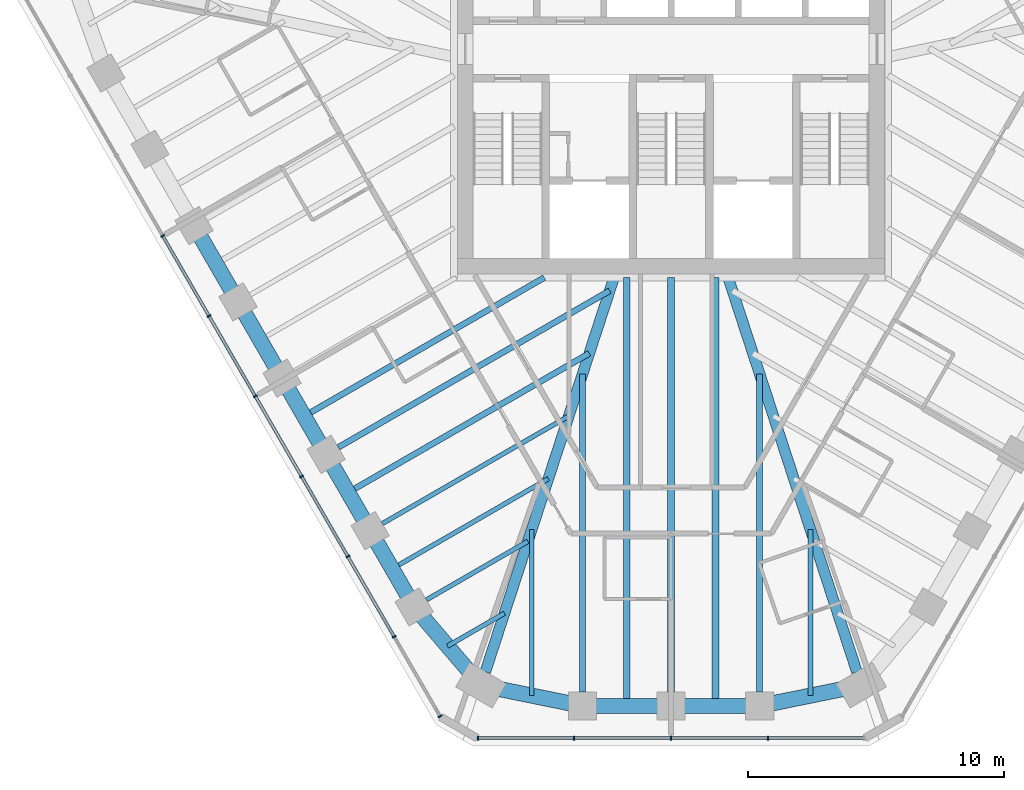
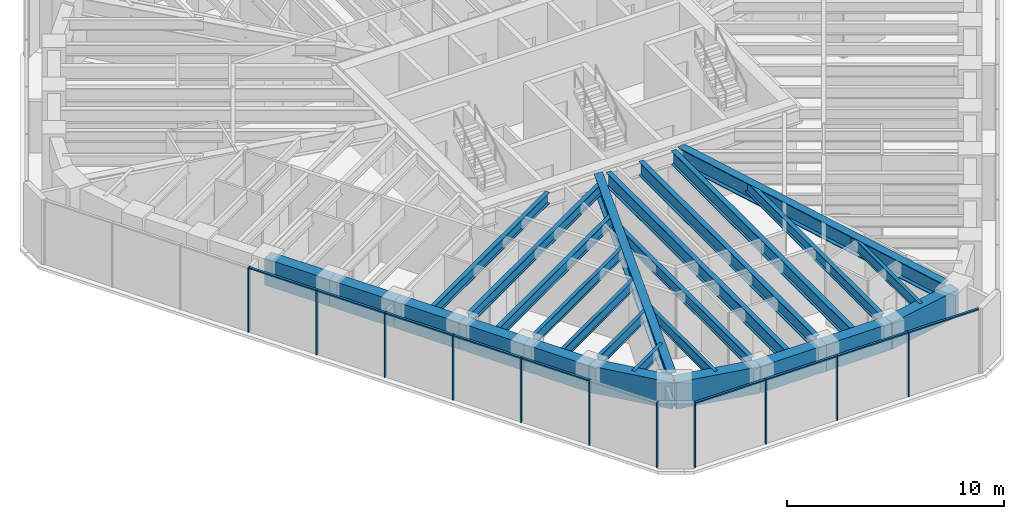
# One storey, part 2 of 14: 26 beams, 20 members, 2 elements without a shape of their own.
"""IFC4 building model written with IfcOpenShell, lengths in metres."""

from ifc_helpers import new_model, si_unit, direction, frame, origin, origin_2d, place, context, subcontext, project, spatial, rectangle, i_section, extrude, material, material_profile, profile_set, type_object, element, aggregate, save


model = new_model("IFC4")

# Units and contexts
model_context = context("Model", 3, precision=1e-05, world=origin(), true_north=direction((0.0, 1.0)))
body_context = subcontext(model_context, "Body", "Model", "MODEL_VIEW")
ifc_project = project(units=[si_unit("LENGTHUNIT", "METRE"), si_unit("AREAUNIT", "SQUARE_METRE"), si_unit("VOLUMEUNIT", "CUBIC_METRE"), si_unit("PLANEANGLEUNIT", "RADIAN"), si_unit("MASSUNIT", "GRAM", prefix="KILO")], contexts=[model_context])

# Site, building, storey
site_placement = place(None, origin())
site = spatial("IfcSite", under=ifc_project, at=site_placement, CompositionType="ELEMENT")
building_placement = place(site_placement, origin())
building = spatial("IfcBuilding", under=site, at=building_placement, Name="Sandreach Pilgrim Tower", CompositionType="ELEMENT")
storey_placement = place(building_placement, frame((0.0, 0.0, 283.60009765625)))
storey = spatial("IfcBuildingStorey", under=building, at=storey_placement, Name="L71", CompositionType="ELEMENT", Elevation=283.60009765625)

# Curtain wall, members
ifc_material_1 = material(Name="Aluminium framed curtain wall", Category="aluminium")
curtain_wall_type = type_object("IfcCurtainWallType", Name="Suite tower curtain wall", PredefinedType="NOTDEFINED", material=ifc_material_1)
curtain_wall_1_placement = place(storey_placement, origin())
curtain_wall_1 = element("IfcCurtainWall", 1, at=curtain_wall_1_placement, inside=storey, type_object=curtain_wall_type, Name="CW-4 L71 S", PredefinedType="NOTDEFINED")
ifc_material_2 = material(Name="Aluminium extrusion", Category="aluminium")
ifc_material_profile_1 = material_profile(ifc_material_2, rectangle(XDim=0.06005859375, YDim=0.159912109375, at=origin_2d()), Name="CW-4M 60X160")
ifc_profile_set_1 = profile_set([ifc_material_profile_1], Name="Aluminium extrusion")
member_type_1 = type_object("IfcMemberType", Name="CW-4 mullion", PredefinedType="MULLION", material=ifc_profile_set_1)
member_1_placement = place(storey_placement, frame((3.791748046875, -24.858154296875, 0.0), z_axis=(0.0, 0.0, 1.0), x_axis=(-1.0, 0.0, 0.0)))
member_1 = element("IfcMember", 2, at=member_1_placement, type_object=member_type_1, Name="CW-4 mullion 2", PredefinedType="MULLION", context=body_context, shape_type="SweptSolid", body=[
    extrude(rectangle(XDim=0.06005859375, YDim=0.159912109375, at=origin_2d()), origin(), (0.0, 0.0, 1.0), 3.639892578125),
])
member_2_placement = place(storey_placement, frame((0.0, -24.858154296875, 0.0), z_axis=(0.0, 0.0, 1.0), x_axis=(-1.0, 0.0, 0.0)))
member_2 = element("IfcMember", 3, at=member_2_placement, type_object=member_type_1, Name="CW-4 mullion 3", PredefinedType="MULLION", context=body_context, shape_type="SweptSolid", body=[
    extrude(rectangle(XDim=0.06005859375, YDim=0.159912109375, at=origin_2d()), origin(), (0.0, 0.0, 1.0), 3.639892578125),
])
member_3_placement = place(storey_placement, frame((-3.791748046875, -24.858154296875, 0.0), z_axis=(0.0, 0.0, 1.0), x_axis=(-1.0, 0.0, 0.0)))
member_3 = element("IfcMember", 4, at=member_3_placement, type_object=member_type_1, Name="CW-4 mullion 4", PredefinedType="MULLION", context=body_context, shape_type="SweptSolid", body=[
    extrude(rectangle(XDim=0.06005859375, YDim=0.159912109375, at=origin_2d()), origin(), (0.0, 0.0, 1.0), 3.639892578125),
])
member_4_placement = place(storey_placement, frame((-7.553466796875, -24.858154296875, 0.0), z_axis=(0.0, 0.0, 1.0), x_axis=(-1.0, 0.0, 0.0)))
member_4 = element("IfcMember", 5, at=member_4_placement, type_object=member_type_1, Name="CW-4 mullion 5", PredefinedType="MULLION", context=body_context, shape_type="SweptSolid", body=[
    extrude(rectangle(XDim=0.06005859375, YDim=0.159912109375, at=origin_2d()), origin(), (0.0, 0.0, 1.0), 3.639892578125),
])

curtain_wall_2_placement = place(storey_placement, origin())
curtain_wall_2 = element("IfcCurtainWall", 6, at=curtain_wall_2_placement, inside=storey, type_object=curtain_wall_type, Name="CW-4 L71 SW", PredefinedType="NOTDEFINED")
member_5_placement = place(storey_placement, frame((-9.035888671875, -24.001953125, 0.0), z_axis=(0.0, 0.0, 1.0), x_axis=(-0.5, 0.866025403784, 0.0)))
member_5 = element("IfcMember", 7, at=member_5_placement, type_object=member_type_1, Name="CW-4 mullion 1", PredefinedType="MULLION", context=body_context, shape_type="SweptSolid", body=[
    extrude(rectangle(XDim=0.06005859375, YDim=0.159912109375, at=origin_2d()), origin(), (0.0, 0.0, 1.0), 3.639892578125),
])
member_6_placement = place(storey_placement, frame((-10.83203125, -20.891357421875, 0.0), z_axis=(0.0, 0.0, 1.0), x_axis=(-0.5, 0.866025403784, 0.0)))
member_6 = element("IfcMember", 8, at=member_6_placement, type_object=member_type_1, Name="CW-4 mullion 2", PredefinedType="MULLION", context=body_context, shape_type="SweptSolid", body=[
    extrude(rectangle(XDim=0.06005859375, YDim=0.159912109375, at=origin_2d()), origin(), (0.0, 0.0, 1.0), 3.639892578125),
])
member_7_placement = place(storey_placement, frame((-12.642822265625, -17.7548828125, 0.0), z_axis=(0.0, 0.0, 1.0), x_axis=(-0.5, 0.866025403784, 0.0)))
member_7 = element("IfcMember", 9, at=member_7_placement, type_object=member_type_1, Name="CW-4 mullion 3", PredefinedType="MULLION", context=body_context, shape_type="SweptSolid", body=[
    extrude(rectangle(XDim=0.06005859375, YDim=0.159912109375, at=origin_2d()), origin(), (0.0, 0.0, 1.0), 3.639892578125),
])
member_8_placement = place(storey_placement, frame((-14.453857421875, -14.6181640625, 0.0), z_axis=(0.0, 0.0, 1.0), x_axis=(-0.5, 0.866025403784, 0.0)))
member_8 = element("IfcMember", 10, at=member_8_placement, type_object=member_type_1, Name="CW-4 mullion 4", PredefinedType="MULLION", context=body_context, shape_type="SweptSolid", body=[
    extrude(rectangle(XDim=0.06005859375, YDim=0.159912109375, at=origin_2d()), origin(), (0.0, 0.0, 1.0), 3.639892578125),
])
member_9_placement = place(storey_placement, frame((-16.2646484375, -11.4814453125, 0.0), z_axis=(0.0, 0.0, 1.0), x_axis=(-0.5, 0.866025403784, 0.0)))
member_9 = element("IfcMember", 11, at=member_9_placement, type_object=member_type_1, Name="CW-4 mullion 5", PredefinedType="MULLION", context=body_context, shape_type="SweptSolid", body=[
    extrude(rectangle(XDim=0.06005859375, YDim=0.159912109375, at=origin_2d()), origin(), (0.0, 0.0, 1.0), 3.639892578125),
])
member_10_placement = place(storey_placement, frame((-18.07568359375, -8.344970703125, 0.0), z_axis=(0.0, 0.0, 1.0), x_axis=(-0.5, 0.866025403784, 0.0)))
member_10 = element("IfcMember", 12, at=member_10_placement, type_object=member_type_1, Name="CW-4 mullion 6", PredefinedType="MULLION", context=body_context, shape_type="SweptSolid", body=[
    extrude(rectangle(XDim=0.06005859375, YDim=0.159912109375, at=origin_2d()), origin(), (0.0, 0.0, 1.0), 3.639892578125),
])
member_11_placement = place(storey_placement, frame((-19.886474609375, -5.208251953125, 0.0), z_axis=(0.0, 0.0, 1.0), x_axis=(-0.5, 0.866025403784, 0.0)))
member_11 = element("IfcMember", 13, at=member_11_placement, type_object=member_type_1, Name="CW-4 mullion 7", PredefinedType="MULLION", context=body_context, shape_type="SweptSolid", body=[
    extrude(rectangle(XDim=0.06005859375, YDim=0.159912109375, at=origin_2d()), origin(), (0.0, 0.0, 1.0), 3.639892578125),
])

# Member
ifc_material_3 = material(Name="Aluminium extrusion", Category="aluminium")
ifc_material_profile_2 = material_profile(ifc_material_3, rectangle(XDim=0.1201171875, YDim=0.070068359375, at=origin_2d()), Name="CW-4T 120X70")
ifc_profile_set_2 = profile_set([ifc_material_profile_2], Name="Aluminium extrusion")
member_type_2 = type_object("IfcMemberType", Name="CW-4 transom", PredefinedType="USERDEFINED", material=ifc_profile_set_2)
member_12_placement = place(storey_placement, frame((7.5234375, -24.858154296875, 3.60498046875), z_axis=(-1.0, 0.0, 0.0), x_axis=(0.0, -1.0, 0.0)))
member_12 = element("IfcMember", 14, at=member_12_placement, type_object=member_type_2, Name="CW-4 head transom 1", ObjectType="TRANSOM", PredefinedType="USERDEFINED", context=body_context, shape_type="SweptSolid", body=[
    extrude(rectangle(XDim=0.1201171875, YDim=0.070068359375, at=origin_2d()), origin(), (0.0, 0.0, 1.0), 3.70166015625),
])

member_13_placement = place(storey_placement, frame((3.76171875, -24.858154296875, 3.60498046875), z_axis=(-1.0, 0.0, 0.0), x_axis=(0.0, -1.0, 0.0)))
member_13 = element("IfcMember", 15, at=member_13_placement, type_object=member_type_2, Name="CW-4 head transom 2", ObjectType="TRANSOM", PredefinedType="USERDEFINED", context=body_context, shape_type="SweptSolid", body=[
    extrude(rectangle(XDim=0.1201171875, YDim=0.070068359375, at=origin_2d()), origin(), (0.0, 0.0, 1.0), 3.731689453125),
])

member_14_placement = place(storey_placement, frame((-0.030029296875, -24.858154296875, 3.60498046875), z_axis=(-1.0, 0.0, 0.0), x_axis=(0.0, -1.0, 0.0)))
member_14 = element("IfcMember", 16, at=member_14_placement, type_object=member_type_2, Name="CW-4 head transom 3", ObjectType="TRANSOM", PredefinedType="USERDEFINED", context=body_context, shape_type="SweptSolid", body=[
    extrude(rectangle(XDim=0.1201171875, YDim=0.070068359375, at=origin_2d()), origin(), (0.0, 0.0, 1.0), 3.731689453125),
])

member_15_placement = place(storey_placement, frame((-3.82177734375, -24.858154296875, 3.60498046875), z_axis=(-1.0, 0.0, 0.0), x_axis=(0.0, -1.0, 0.0)))
member_15 = element("IfcMember", 17, at=member_15_placement, type_object=member_type_2, Name="CW-4 head transom 4", ObjectType="TRANSOM", PredefinedType="USERDEFINED", context=body_context, shape_type="SweptSolid", body=[
    extrude(rectangle(XDim=0.1201171875, YDim=0.070068359375, at=origin_2d()), origin(), (0.0, 0.0, 1.0), 3.70166015625),
])

aggregate(curtain_wall_1, [member_1, member_2, member_3, member_4, member_12, member_13, member_14, member_15])

member_16_placement = place(storey_placement, frame((-10.846923828125, -20.865478515625, 3.60498046875), z_axis=(-0.500009219579, 0.866020080793, 0.0), x_axis=(-0.866020080793, -0.500009219579, 0.0)))
member_16 = element("IfcMember", 18, at=member_16_placement, type_object=member_type_2, Name="CW-4 head transom 2", ObjectType="TRANSOM", PredefinedType="USERDEFINED", context=body_context, shape_type="SweptSolid", body=[
    extrude(rectangle(XDim=0.1201171875, YDim=0.070068359375, at=origin_2d()), origin(), (0.0, 0.0, 1.0), 3.56201171875),
])

member_17_placement = place(storey_placement, frame((-12.657958984375, -17.728759765625, 3.60498046875), z_axis=(-0.499957811549, 0.866049759928, 0.0), x_axis=(-0.866049759928, -0.499957811549, 0.0)))
member_17 = element("IfcMember", 19, at=member_17_placement, type_object=member_type_2, Name="CW-4 head transom 3", ObjectType="TRANSOM", PredefinedType="USERDEFINED", context=body_context, shape_type="SweptSolid", body=[
    extrude(rectangle(XDim=0.1201171875, YDim=0.070068359375, at=origin_2d()), origin(), (0.0, 0.0, 1.0), 3.561767578125),
])

member_18_placement = place(storey_placement, frame((-14.46875, -14.59228515625, 3.60498046875), z_axis=(-0.500009219579, 0.866020080793, 0.0), x_axis=(-0.866020080793, -0.500009219579, 0.0)))
member_18 = element("IfcMember", 20, at=member_18_placement, type_object=member_type_2, Name="CW-4 head transom 4", ObjectType="TRANSOM", PredefinedType="USERDEFINED", context=body_context, shape_type="SweptSolid", body=[
    extrude(rectangle(XDim=0.1201171875, YDim=0.070068359375, at=origin_2d()), origin(), (0.0, 0.0, 1.0), 3.56201171875),
])

member_19_placement = place(storey_placement, frame((-16.27978515625, -11.45556640625, 3.60498046875), z_axis=(-0.499957811549, 0.866049759928, 0.0), x_axis=(-0.866049759928, -0.499957811549, 0.0)))
member_19 = element("IfcMember", 21, at=member_19_placement, type_object=member_type_2, Name="CW-4 head transom 5", ObjectType="TRANSOM", PredefinedType="USERDEFINED", context=body_context, shape_type="SweptSolid", body=[
    extrude(rectangle(XDim=0.1201171875, YDim=0.070068359375, at=origin_2d()), origin(), (0.0, 0.0, 1.0), 3.561767578125),
])

member_20_placement = place(storey_placement, frame((-18.090576171875, -8.31884765625, 3.60498046875), z_axis=(-0.500038900691, 0.866002943295, 0.0), x_axis=(-0.866002943295, -0.500038900691, 0.0)))
member_20 = element("IfcMember", 22, at=member_20_placement, type_object=member_type_2, Name="CW-4 head transom 6", ObjectType="TRANSOM", PredefinedType="USERDEFINED", context=body_context, shape_type="SweptSolid", body=[
    extrude(rectangle(XDim=0.1201171875, YDim=0.070068359375, at=origin_2d()), origin(), (0.0, 0.0, 1.0), 3.561767578125),
])

aggregate(curtain_wall_2, [member_5, member_6, member_7, member_8, member_9, member_10, member_11, member_16, member_17, member_18, member_19, member_20])

# Beams
ifc_material_4 = material(Name="Steel ASTM A992 Grade 50", Category="steel")
ifc_material_profile_3 = material_profile(ifc_material_4, i_section(OverallWidth=0.421630859375, OverallDepth=0.937255859375, WebThickness=0.0224609375, FlangeThickness=0.039794921875, at=origin_2d()), Name="W36X282")
ifc_profile_set_3 = profile_set([ifc_material_profile_3], Name="Steel ASTM A992 Grade 50")
beam_type_1 = type_object("IfcBeamType", Name="Corner girder W36X282", PredefinedType="BEAM", material=ifc_profile_set_3)
for number, where, z_axis, x_axis, name in (
    (23, (7.268310546875, -22.2666015625, 3.17138671875), (-0.310308570047, 0.950635887896, 0.0), (-0.950635887896, -0.310308570047, 0.0), "BM L71 CG22"),
    (24, (-7.268310546875, -22.2666015625, 3.17138671875), (0.310308570047, 0.950635887896, 0.0), (-0.950635887896, 0.310308570047, 0.0), "BM L71 CG26"),
):
    element("IfcBeam", number, at=place(storey_placement, frame(where, z_axis=z_axis, x_axis=x_axis)), inside=storey, type_object=beam_type_1, Name=name, PredefinedType="BEAM", context=body_context, shape_type="SweptSolid", body=[
        extrude(i_section(OverallWidth=0.421630859375, OverallDepth=0.937255859375, WebThickness=0.0224609375, FlangeThickness=0.039794921875, at=origin_2d()), origin(), (0.0, 0.0, 1.0), 16.375),
    ])
ifc_material_5 = material(Name="Steel ASTM A992 Grade 50", Category="steel")
ifc_material_profile_4 = material_profile(ifc_material_5, i_section(OverallWidth=0.1787109375, OverallDepth=0.60205078125, WebThickness=0.010986328125, FlangeThickness=0.014892578125, at=origin_2d()), Name="W24X62")
ifc_profile_set_4 = profile_set([ifc_material_profile_4], Name="Steel ASTM A992 Grade 50")
beam_type_2 = type_object("IfcBeamType", Name="Floor beam W24X62", PredefinedType="BEAM", material=ifc_profile_set_4)
beam_1_placement = place(storey_placement, frame((-9.573974609375, -19.450439453125, 3.3388671875), z_axis=(0.866024320471, 0.50000187635, 0.0), x_axis=(-0.50000187635, 0.866024320471, 0.0)))
element("IfcBeam", 25, at=beam_1_placement, inside=storey, type_object=beam_type_2, Name="BM L71 F27", PredefinedType="BEAM", context=body_context, shape_type="SweptSolid", body=[
    extrude(i_section(OverallWidth=0.1787109375, OverallDepth=0.60205078125, WebThickness=0.010986328125, FlangeThickness=0.014892578125, at=origin_2d()), origin(), (0.0, 0.0, 1.0), 4.58837890625),
])
beam_2_placement = place(storey_placement, frame((-11.29638671875, -16.466796875, 3.3388671875), z_axis=(0.866026819143, 0.499997548519, 0.0), x_axis=(-0.499997548519, 0.866026819143, 0.0)))
element("IfcBeam", 26, at=beam_2_placement, inside=storey, type_object=beam_type_2, Name="BM L71 F28", PredefinedType="BEAM", context=body_context, shape_type="SweptSolid", body=[
    extrude(i_section(OverallWidth=0.1787109375, OverallDepth=0.60205078125, WebThickness=0.010986328125, FlangeThickness=0.014892578125, at=origin_2d()), origin(), (0.0, 0.0, 1.0), 8.4248046875),
])
for number, where, z_axis, x_axis, name in (
    (27, (5.452392578125, -23.19384765625, 3.3388671875), (0.0, 1.0, 0.0), (-1.0, 0.0, 0.0), "BM L71 FM22"),
    (28, (-5.452392578125, -23.19384765625, 3.3388671875), (0.0, 1.0, 0.0), (-1.0, 0.0, 0.0), "BM L71 FM25"),
):
    element("IfcBeam", number, at=place(storey_placement, frame(where, z_axis=z_axis, x_axis=x_axis)), inside=storey, type_object=beam_type_2, Name=name, PredefinedType="BEAM", context=body_context, shape_type="SweptSolid", body=[
        extrude(i_section(OverallWidth=0.1787109375, OverallDepth=0.60205078125, WebThickness=0.010986328125, FlangeThickness=0.014892578125, at=origin_2d()), origin(), (0.0, 0.0, 1.0), 6.49072265625),
    ])
beam_3_placement = place(storey_placement, frame((-8.74462890625, -21.25732421875, 3.3388671875), z_axis=(0.866041575714, 0.49997198835, 0.0), x_axis=(-0.49997198835, 0.866041575714, 0.0)))
element("IfcBeam", 29, at=beam_3_placement, inside=storey, type_object=beam_type_2, Name="BM L71 FM26", PredefinedType="BEAM", context=body_context, shape_type="SweptSolid", body=[
    extrude(i_section(OverallWidth=0.1787109375, OverallDepth=0.60205078125, WebThickness=0.010986328125, FlangeThickness=0.014892578125, at=origin_2d()), origin(), (0.0, 0.0, 1.0), 2.569091796875),
])
beam_4_placement = place(storey_placement, frame((-10.911376953125, -18.233642578125, 3.3388671875), z_axis=(0.866020229007, 0.50000896287, 0.0), x_axis=(-0.50000896287, 0.866020229007, 0.0)))
element("IfcBeam", 30, at=beam_4_placement, inside=storey, type_object=beam_type_2, Name="BM L71 FM27", PredefinedType="BEAM", context=body_context, shape_type="SweptSolid", body=[
    extrude(i_section(OverallWidth=0.1787109375, OverallDepth=0.60205078125, WebThickness=0.010986328125, FlangeThickness=0.014892578125, at=origin_2d()), origin(), (0.0, 0.0, 1.0), 7.056396484375),
])
ifc_material_6 = material(Name="Steel ASTM A992 Grade 50", Category="steel")
ifc_material_profile_5 = material_profile(ifc_material_6, i_section(OverallWidth=0.23046875, OverallDepth=0.6171875, WebThickness=0.01318359375, FlangeThickness=0.022216796875, at=origin_2d()), Name="W24X94")
ifc_profile_set_5 = profile_set([ifc_material_profile_5], Name="Steel ASTM A992 Grade 50")
beam_type_3 = type_object("IfcBeamType", Name="Floor beam W24X94", PredefinedType="BEAM", material=ifc_profile_set_5)
for number, where, z_axis, x_axis, name in (
    (31, (3.465576171875, -23.048095703125, 3.331298828125), (0.0, 1.0, 0.0), (-1.0, 0.0, 0.0), "BM L71 F23"),
    (32, (-3.465576171875, -23.048095703125, 3.331298828125), (0.0, 1.0, 0.0), (-1.0, 0.0, 0.0), "BM L71 F25"),
):
    element("IfcBeam", number, at=place(storey_placement, frame(where, z_axis=z_axis, x_axis=x_axis)), inside=storey, type_object=beam_type_3, Name=name, PredefinedType="BEAM", context=body_context, shape_type="SweptSolid", body=[
        extrude(i_section(OverallWidth=0.23046875, OverallDepth=0.6171875, WebThickness=0.01318359375, FlangeThickness=0.022216796875, at=origin_2d()), origin(), (0.0, 0.0, 1.0), 12.431396484375),
    ])
beam_5_placement = place(storey_placement, frame((-13.018798828125, -13.4833984375, 3.331298828125), z_axis=(0.866019132277, 0.500010862412, 0.0), x_axis=(-0.500010862412, 0.866019132277, 0.0)))
element("IfcBeam", 33, at=beam_5_placement, inside=storey, type_object=beam_type_3, Name="BM L71 F29", PredefinedType="BEAM", context=body_context, shape_type="SweptSolid", body=[
    extrude(i_section(OverallWidth=0.23046875, OverallDepth=0.6171875, WebThickness=0.01318359375, FlangeThickness=0.022216796875, at=origin_2d()), origin(), (0.0, 0.0, 1.0), 12.261474609375),
])
beam_6_placement = place(storey_placement, frame((-12.634033203125, -15.250244140625, 3.331298828125), z_axis=(0.866019500887, 0.500010223979, 0.0), x_axis=(-0.500010223979, 0.866019500887, 0.0)))
element("IfcBeam", 34, at=beam_6_placement, inside=storey, type_object=beam_type_3, Name="BM L71 FM28", PredefinedType="BEAM", context=body_context, shape_type="SweptSolid", body=[
    extrude(i_section(OverallWidth=0.23046875, OverallDepth=0.6171875, WebThickness=0.01318359375, FlangeThickness=0.022216796875, at=origin_2d()), origin(), (0.0, 0.0, 1.0), 10.893310546875),
])
beam_7_placement = place(storey_placement, frame((-14.3564453125, -12.2666015625, 3.331298828125), z_axis=(0.866026660645, 0.499997823047, 0.0), x_axis=(-0.499997823047, 0.866026660645, 0.0)))
element("IfcBeam", 35, at=beam_7_placement, inside=storey, type_object=beam_type_3, Name="BM L71 FM29", PredefinedType="BEAM", context=body_context, shape_type="SweptSolid", body=[
    extrude(i_section(OverallWidth=0.23046875, OverallDepth=0.6171875, WebThickness=0.01318359375, FlangeThickness=0.022216796875, at=origin_2d()), origin(), (0.0, 0.0, 1.0), 10.8466796875),
])
ifc_material_7 = material(Name="Steel ASTM A992 Grade 50", Category="steel")
ifc_material_profile_6 = material_profile(ifc_material_7, i_section(OverallWidth=0.2666015625, OverallDepth=0.77978515625, WebThickness=0.0166015625, FlangeThickness=0.030029296875, at=origin_2d()), Name="W30X148")
ifc_profile_set_6 = profile_set([ifc_material_profile_6], Name="Steel ASTM A992 Grade 50")
beam_type_4 = type_object("IfcBeamType", Name="Floor beam W30X148", PredefinedType="BEAM", material=ifc_profile_set_6)
beam_8_placement = place(storey_placement, frame((0.0, -23.048095703125, 3.25), z_axis=(0.0, 1.0, 0.0), x_axis=(-1.0, 0.0, 0.0)))
element("IfcBeam", 36, at=beam_8_placement, inside=storey, type_object=beam_type_4, Name="BM L71 F24", PredefinedType="BEAM", context=body_context, shape_type="SweptSolid", body=[
    extrude(i_section(OverallWidth=0.2666015625, OverallDepth=0.77978515625, WebThickness=0.0166015625, FlangeThickness=0.030029296875, at=origin_2d()), origin(), (0.0, 0.0, 1.0), 16.204833984375),
])
for number, where, z_axis, x_axis, name in (
    (37, (1.732666015625, -23.59814453125, 3.25), (0.0, 1.0, 0.0), (-1.0, 0.0, 0.0), "BM L71 FM23"),
    (38, (-1.732666015625, -23.59814453125, 3.25), (0.0, 1.0, 0.0), (-1.0, 0.0, 0.0), "BM L71 FM24"),
):
    element("IfcBeam", number, at=place(storey_placement, frame(where, z_axis=z_axis, x_axis=x_axis)), inside=storey, type_object=beam_type_4, Name=name, PredefinedType="BEAM", context=body_context, shape_type="SweptSolid", body=[
        extrude(i_section(OverallWidth=0.2666015625, OverallDepth=0.77978515625, WebThickness=0.0166015625, FlangeThickness=0.030029296875, at=origin_2d()), origin(), (0.0, 0.0, 1.0), 16.7548828125),
    ])
ifc_material_8 = material(Name="Concrete 10000 psi", Category="concrete")
ifc_material_profile_7 = material_profile(ifc_material_8, rectangle(XDim=0.60009765625, YDim=1.5, at=origin_2d()), Name="RC600X1500")
ifc_profile_set_7 = profile_set([ifc_material_profile_7], Name="Concrete 10000 psi")
beam_type_5 = type_object("IfcBeamType", Name="Spandrel beam RC600X1500", PredefinedType="SPANDREL", material=ifc_profile_set_7)
beam_9_placement = place(storey_placement, frame((7.439208984375, -22.78955078125, 2.889892578125), z_axis=(-0.979917524616, -0.199403222016, 0.0), x_axis=(0.199403222016, -0.979917524616, 0.0)))
element("IfcBeam", 39, at=beam_9_placement, inside=storey, type_object=beam_type_5, Name="BM L71 SP22", PredefinedType="SPANDREL", context=body_context, shape_type="SweptSolid", body=[
    extrude(rectangle(XDim=0.60009765625, YDim=1.5, at=origin_2d()), origin(), (0.0, 0.0, 1.0), 4.05517578125),
])
for number, where, z_axis, x_axis, name in (
    (40, (3.465576171875, -23.59814453125, 2.889892578125), (-1.0, 0.0, 0.0), (0.0, -1.0, 0.0), "BM L71 SP23"),
    (41, (0.0, -23.59814453125, 2.889892578125), (-1.0, 0.0, 0.0), (0.0, -1.0, 0.0), "BM L71 SP24"),
):
    element("IfcBeam", number, at=place(storey_placement, frame(where, z_axis=z_axis, x_axis=x_axis)), inside=storey, type_object=beam_type_5, Name=name, PredefinedType="SPANDREL", context=body_context, shape_type="SweptSolid", body=[
        extrude(rectangle(XDim=0.60009765625, YDim=1.5, at=origin_2d()), origin(), (0.0, 0.0, 1.0), 3.465576171875),
    ])
beam_10_placement = place(storey_placement, frame((-3.465576171875, -23.59814453125, 2.889892578125), z_axis=(-0.979917524616, 0.199403222016, 0.0), x_axis=(-0.199403222016, -0.979917524616, 0.0)))
element("IfcBeam", 42, at=beam_10_placement, inside=storey, type_object=beam_type_5, Name="BM L71 SP25", PredefinedType="SPANDREL", context=body_context, shape_type="SweptSolid", body=[
    extrude(rectangle(XDim=0.60009765625, YDim=1.5, at=origin_2d()), origin(), (0.0, 0.0, 1.0), 4.05517578125),
])
beam_11_placement = place(storey_placement, frame((-7.439208984375, -22.78955078125, 2.889892578125), z_axis=(-0.648586192707, 0.761141215958, 0.0), x_axis=(-0.761141215958, -0.648586192707, 0.0)))
element("IfcBeam", 43, at=beam_11_placement, inside=storey, type_object=beam_type_5, Name="BM L71 SP26", PredefinedType="SPANDREL", context=body_context, shape_type="SweptSolid", body=[
    extrude(rectangle(XDim=0.60009765625, YDim=1.5, at=origin_2d()), origin(), (0.0, 0.0, 1.0), 4.02587890625),
])
for number, where, z_axis, x_axis, name in (
    (44, (-10.05029296875, -19.725341796875, 2.889892578125), (-0.499988291006, 0.866032163869, 0.0), (-0.866032163869, -0.499988291006, 0.0), "BM L71 SP27"),
    (45, (-11.772705078125, -16.741943359375, 2.889892578125), (-0.499988291006, 0.866032163869, 0.0), (-0.866032163869, -0.499988291006, 0.0), "BM L71 SP28"),
):
    element("IfcBeam", number, at=place(storey_placement, frame(where, z_axis=z_axis, x_axis=x_axis)), inside=storey, type_object=beam_type_5, Name=name, PredefinedType="SPANDREL", context=body_context, shape_type="SweptSolid", body=[
        extrude(rectangle(XDim=0.60009765625, YDim=1.5, at=origin_2d()), origin(), (0.0, 0.0, 1.0), 3.44482421875),
    ])
beam_12_placement = place(storey_placement, frame((-13.4951171875, -13.758544921875, 2.889892578125), z_axis=(-0.500010754882, 0.866019194361, 0.0), x_axis=(-0.866019194361, -0.500010754882, 0.0)))
element("IfcBeam", 46, at=beam_12_placement, inside=storey, type_object=beam_type_5, Name="BM L71 SP29", PredefinedType="SPANDREL", context=body_context, shape_type="SweptSolid", body=[
    extrude(rectangle(XDim=0.60009765625, YDim=1.5, at=origin_2d()), origin(), (0.0, 0.0, 1.0), 3.4453125),
])
beam_13_placement = place(storey_placement, frame((-15.2177734375, -10.77490234375, 2.889892578125), z_axis=(-0.499988291006, 0.866032163869, 0.0), x_axis=(-0.866032163869, -0.499988291006, 0.0)))
element("IfcBeam", 47, at=beam_13_placement, inside=storey, type_object=beam_type_5, Name="BM L71 SP30", PredefinedType="SPANDREL", context=body_context, shape_type="SweptSolid", body=[
    extrude(rectangle(XDim=0.60009765625, YDim=1.5, at=origin_2d()), origin(), (0.0, 0.0, 1.0), 3.44482421875),
])
beam_14_placement = place(storey_placement, frame((-16.940185546875, -7.79150390625, 2.889892578125), z_axis=(-0.500041441558, 0.866001476168, 0.0), x_axis=(-0.866001476168, -0.500041441558, 0.0)))
element("IfcBeam", 48, at=beam_14_placement, inside=storey, type_object=beam_type_5, Name="BM L71 SP31", PredefinedType="SPANDREL", context=body_context, shape_type="SweptSolid", body=[
    extrude(rectangle(XDim=0.60009765625, YDim=1.5, at=origin_2d()), origin(), (0.0, 0.0, 1.0), 3.445068359375),
])

save(model, "model.ifc")
